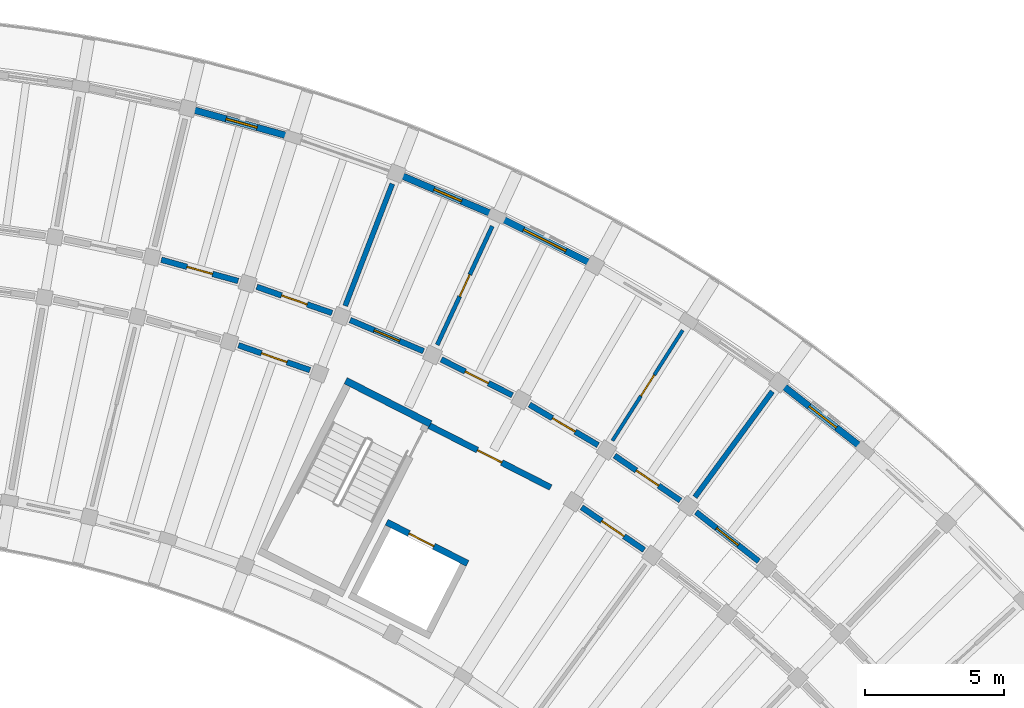
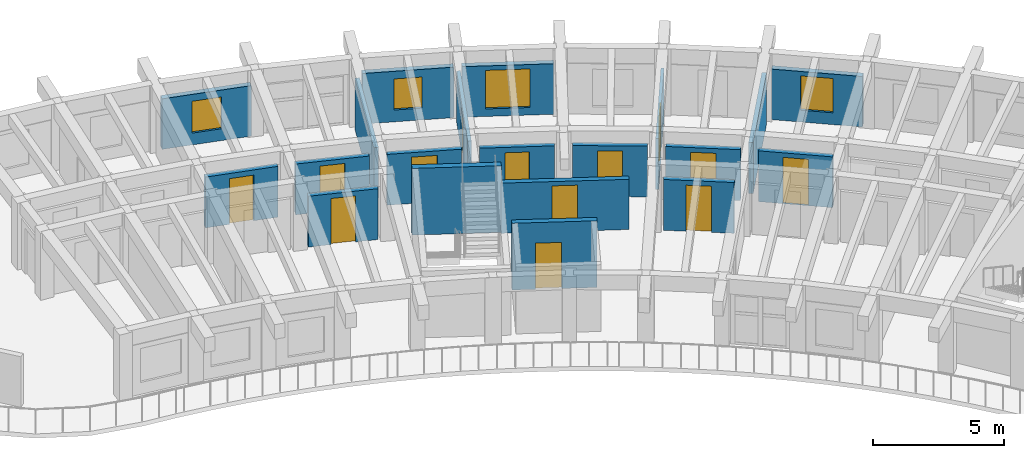
# One storey, part 54 of 78: 20 walls, 13 doors, 4 windows, 17 openings.
"""IFC4 building model written with IfcOpenShell, lengths in metres."""

from ifc_helpers import new_model, si_unit, direction, frame, frame_2d, origin, place, context, subcontext, project, spatial, rectangle, extrude, material, layer, layer_set, type_object, element, fill, save


model = new_model("IFC4")

# Units and contexts
model_context = context("Model", 3, precision=1e-05, world=origin(), true_north=direction((0.0, 1.0)))
body_context = subcontext(model_context, "Body", "Model", "MODEL_VIEW")
ifc_project = project(units=[si_unit("LENGTHUNIT", "METRE"), si_unit("AREAUNIT", "SQUARE_METRE"), si_unit("VOLUMEUNIT", "CUBIC_METRE"), si_unit("PLANEANGLEUNIT", "RADIAN"), si_unit("MASSUNIT", "GRAM", prefix="KILO")], contexts=[model_context])

# Site, building, storey
site_placement = place(None, origin())
site = spatial("IfcSite", under=ifc_project, at=site_placement, CompositionType="ELEMENT")
building_placement = place(site_placement, origin())
building = spatial("IfcBuilding", under=site, at=building_placement, Name="Tanwirah Colonnade Gardens", CompositionType="ELEMENT")
storey_placement = place(building_placement, frame((0.0, 0.0, 22.280029296875)))
storey = spatial("IfcBuildingStorey", under=building, at=storey_placement, Name="L06", CompositionType="ELEMENT", Elevation=22.280029296875)

# Wall, opening, window
ifc_material_1 = material(Name="Limestone architectural precast concrete C40/50", Category="masonry")
ifc_layer_1 = layer(ifc_material_1, 0.239990234375)
ifc_layer_set_1 = layer_set([ifc_layer_1], Name="Limestone architectural precast concrete C40/50")
wall_type_1 = type_object("IfcWallType", Name="EW-PC240", PredefinedType="SOLIDWALL", material=ifc_layer_set_1)
wall_1_placement = place(storey_placement, frame((159.152099609375, 105.916748046875, 0.0), z_axis=(0.0, 0.0, 1.0), x_axis=(-0.786813798172, 0.617190446301, 0.0)))
wall_1 = element("IfcWall", 1, at=wall_1_placement, inside=storey, type_object=wall_type_1, Name="Block B L06 OUT Precast Facade Wall 9", PredefinedType="SOLIDWALL", context=body_context, shape_type="SweptSolid", body=[
    extrude(rectangle(XDim=3.5205078125, YDim=0.239990234375, at=frame_2d((1.76025390625, 0.0))), origin(), (0.0, 0.0, 1.0), 2.35498046875),
])
opening_1_placement = place(wall_1_placement, frame((1.13525390625, 0.0, 0.550048828125)))
opening_1 = element("IfcOpeningElement", 2, at=opening_1_placement, cuts=wall_1, Name="Opening WIN-T03", PredefinedType="OPENING", context=body_context, shape_type="SweptSolid", body=[
    extrude(rectangle(XDim=1.25, YDim=1.60009765625, at=frame_2d((0.625, 0.800048828125))), frame((0.0, 0.1298828125, 0.0), z_axis=(0.0, -1.0, 0.0), x_axis=(1.0, 0.0, 0.0)), (0.0, 0.0, 1.0), 0.260009765625),
])
ifc_material_2 = material(Name="Thermally broken bronze aluminium and solar low-E double glazing", Category="aluminium")
window_type_1 = type_object("IfcWindowType", Name="WIN-T03", PartitioningType="SINGLE_PANEL", PredefinedType="WINDOW", material=ifc_material_2)
window_1_placement = place(opening_1_placement, origin())
window_1 = element("IfcWindow", 3, at=window_1_placement, inside=storey, type_object=window_type_1, Name="Facade window B-L06-OUT-09", OverallHeight=1.60009765625, OverallWidth=1.25, PartitioningType="SINGLE_PANEL", PredefinedType="WINDOW", context=body_context, shape_type="SweptSolid", body=[
    extrude(rectangle(XDim=1.25, YDim=1.60009765625, at=frame_2d((0.625, 0.800048828125))), frame((0.0, 0.030029296875, 0.0), z_axis=(0.0, -1.0, 0.0), x_axis=(1.0, 0.0, 0.0)), (0.0, 0.0, 1.0), 0.06005859375),
])
fill(opening_1, window_1)

wall_2_placement = place(storey_placement, frame((149.34814453125, 112.56103515625, 0.0), z_axis=(0.0, 0.0, 1.0), x_axis=(-0.892756700232, 0.450539092855, 0.0)))
wall_2 = element("IfcWall", 4, at=wall_2_placement, inside=storey, type_object=wall_type_1, Name="Block B L06 OUT Precast Facade Wall 12", PredefinedType="SOLIDWALL", context=body_context, shape_type="SweptSolid", body=[
    extrude(rectangle(XDim=3.520751953125, YDim=0.239990234375, at=frame_2d((1.76025390625, 0.0))), origin(), (0.0, 0.0, 1.0), 2.35498046875),
])
opening_2_placement = place(wall_2_placement, frame((0.910400390625, 0.0, 0.35009765625)))
opening_2 = element("IfcOpeningElement", 5, at=opening_2_placement, cuts=wall_2, Name="Opening WIN-T12", PredefinedType="OPENING", context=body_context, shape_type="SweptSolid", body=[
    extrude(rectangle(XDim=1.699951171875, YDim=1.800048828125, at=frame_2d((0.85009765625, 0.89990234375))), frame((0.0, 0.1298828125, 0.0), z_axis=(0.0, -1.0, 0.0), x_axis=(1.0, 0.0, 0.0)), (0.0, 0.0, 1.0), 0.260009765625),
])
window_type_2 = type_object("IfcWindowType", Name="WIN-T12", PartitioningType="TRIPLE_PANEL_VERTICAL", PredefinedType="WINDOW", material=ifc_material_2)
window_2_placement = place(opening_2_placement, origin())
window_2 = element("IfcWindow", 6, at=window_2_placement, inside=storey, type_object=window_type_2, Name="Facade window B-L06-OUT-12", OverallHeight=1.800048828125, OverallWidth=1.699951171875, PartitioningType="SINGLE_PANEL", PredefinedType="WINDOW", context=body_context, shape_type="SweptSolid", body=[
    extrude(rectangle(XDim=1.699951171875, YDim=1.800048828125, at=frame_2d((0.85009765625, 0.89990234375))), frame((0.0, 0.030029296875, 0.0), z_axis=(0.0, -1.0, 0.0), x_axis=(1.0, 0.0, 0.0)), (0.0, 0.0, 1.0), 0.06005859375),
])
fill(opening_2, window_2)

wall_3_placement = place(storey_placement, frame((145.9150390625, 114.28173828125, 0.0), z_axis=(0.0, 0.0, 1.0), x_axis=(-0.920502438884, 0.390736816807, 0.0)))
wall_3 = element("IfcWall", 7, at=wall_3_placement, inside=storey, type_object=wall_type_1, Name="Block B L06 OUT Precast Facade Wall 13", PredefinedType="SOLIDWALL", context=body_context, shape_type="SweptSolid", body=[
    extrude(rectangle(XDim=3.520751953125, YDim=0.239990234375, at=frame_2d((1.76025390625, 0.0))), origin(), (0.0, 0.0, 1.0), 2.35498046875),
])
opening_3_placement = place(wall_3_placement, frame((1.22021484375, 0.0, 0.550048828125)))
opening_3 = element("IfcOpeningElement", 8, at=opening_3_placement, cuts=wall_3, Name="Opening WIN-T15", PredefinedType="OPENING", context=body_context, shape_type="SweptSolid", body=[
    extrude(rectangle(XDim=1.080078125, YDim=1.449951171875, at=frame_2d((0.5400390625, 0.72509765625))), frame((0.0, 0.1298828125, 0.0), z_axis=(0.0, -1.0, 0.0), x_axis=(1.0, 0.0, 0.0)), (0.0, 0.0, 1.0), 0.260009765625),
])
window_type_3 = type_object("IfcWindowType", Name="WIN-T15", PartitioningType="SINGLE_PANEL", PredefinedType="WINDOW", material=ifc_material_2)
window_3_placement = place(opening_3_placement, origin())
window_3 = element("IfcWindow", 9, at=window_3_placement, inside=storey, type_object=window_type_3, Name="Facade window B-L06-OUT-13", OverallHeight=1.449951171875, OverallWidth=1.080078125, PartitioningType="SINGLE_PANEL", PredefinedType="WINDOW", context=body_context, shape_type="SweptSolid", body=[
    extrude(rectangle(XDim=1.080078125, YDim=1.449951171875, at=frame_2d((0.5400390625, 0.72509765625))), frame((0.0, 0.030029296875, 0.0), z_axis=(0.0, -1.0, 0.0), x_axis=(1.0, 0.0, 0.0)), (0.0, 0.0, 1.0), 0.06005859375),
])
fill(opening_3, window_3)

wall_4_placement = place(storey_placement, frame((138.58740234375, 117.08837890625, 0.0), z_axis=(0.0, 0.0, 1.0), x_axis=(-0.963894473631, 0.266284516456, 0.0)))
wall_4 = element("IfcWall", 10, at=wall_4_placement, inside=storey, type_object=wall_type_1, Name="Block B L06 OUT Precast Facade Wall 15", PredefinedType="SOLIDWALL", context=body_context, shape_type="SweptSolid", body=[
    extrude(rectangle(XDim=3.520751953125, YDim=0.239990234375, at=frame_2d((1.76025390625, 0.0))), origin(), (0.0, 0.0, 1.0), 2.35498046875),
])
opening_4_placement = place(wall_4_placement, frame((1.180419921875, 0.0, 0.550048828125)))
opening_4 = element("IfcOpeningElement", 11, at=opening_4_placement, cuts=wall_4, Name="Opening WIN-U01", PredefinedType="OPENING", context=body_context, shape_type="SweptSolid", body=[
    extrude(rectangle(XDim=1.159912109375, YDim=1.485107421875, at=frame_2d((0.580078125, 0.74267578125))), frame((0.0, 0.1298828125, 0.0), z_axis=(0.0, -1.0, 0.0), x_axis=(1.0, 0.0, 0.0)), (0.0, 0.0, 1.0), 0.260009765625),
])
window_type_4 = type_object("IfcWindowType", Name="WIN-U01", PartitioningType="DOUBLE_PANEL_VERTICAL", PredefinedType="WINDOW", material=ifc_material_2)
window_4_placement = place(opening_4_placement, origin())
window_4 = element("IfcWindow", 12, at=window_4_placement, inside=storey, type_object=window_type_4, Name="Facade window B-L06-OUT-15", OverallHeight=1.485107421875, OverallWidth=1.159912109375, PartitioningType="SINGLE_PANEL", PredefinedType="WINDOW", context=body_context, shape_type="SweptSolid", body=[
    extrude(rectangle(XDim=1.159912109375, YDim=1.485107421875, at=frame_2d((0.580078125, 0.74267578125))), frame((0.0, 0.030029296875, 0.0), z_axis=(0.0, -1.0, 0.0), x_axis=(1.0, 0.0, 0.0)), (0.0, 0.0, 1.0), 0.06005859375),
])
fill(opening_4, window_4)

# Wall, opening, door
ifc_material_3 = material(Name="Precast concrete C40/50", Category="concrete")
ifc_layer_2 = layer(ifc_material_3, 0.205078125)
ifc_layer_set_2 = layer_set([ifc_layer_2], Name="Precast concrete C40/50")
wall_type_2 = type_object("IfcWallType", Name="IW-CORR205", PredefinedType="PARTITIONING", material=ifc_layer_set_2)
wall_5_placement = place(storey_placement, frame((155.46728515625, 101.82080078125, 0.0), z_axis=(0.0, 0.0, 1.0), x_axis=(-0.786806323554, 0.617199975061, 0.0)))
wall_5 = element("IfcWall", 13, at=wall_5_placement, inside=storey, type_object=wall_type_2, Name="Block B L06 OUT Corridor Wall 9", PredefinedType="PARTITIONING", context=body_context, shape_type="SweptSolid", body=[
    extrude(rectangle(XDim=2.863037109375, YDim=0.205078125, at=frame_2d((1.431640625, 0.0))), origin(), (0.0, 0.0, 1.0), 2.369873046875),
])
opening_5_placement = place(wall_5_placement, frame((0.9365234375, 0.0, 0.0)))
opening_5 = element("IfcOpeningElement", 14, at=opening_5_placement, cuts=wall_5, Name="Opening L06-AD1064", PredefinedType="OPENING", context=body_context, shape_type="SweptSolid", body=[
    extrude(rectangle(XDim=0.989990234375, YDim=2.159912109375, at=frame_2d((0.4951171875, 1.080078125))), frame((0.0, 0.112548828125, 0.0), z_axis=(0.0, -1.0, 0.0), x_axis=(1.0, 0.0, 0.0)), (0.0, 0.0, 1.0), 0.22509765625),
])
ifc_material_4 = material(Name="Solid oak fire-resisting apartment entrance door")
door_type_1 = type_object("IfcDoorType", Name="ID-FLT099", OperationType="NOTDEFINED", PredefinedType="DOOR", material=ifc_material_4)
door_1_placement = place(opening_5_placement, origin())
door_1 = element("IfcDoor", 15, at=door_1_placement, inside=storey, type_object=door_type_1, Name="Apartment corridor door L06-AD1064", OperationType="SINGLE_SWING_RIGHT", OverallHeight=2.159912109375, OverallWidth=0.989990234375, PredefinedType="DOOR", context=body_context, shape_type="SweptSolid", body=[
    extrude(rectangle(XDim=0.989990234375, YDim=2.159912109375, at=frame_2d((0.4951171875, 1.080078125))), frame((0.0, 0.02490234375, 0.0), z_axis=(0.0, -1.0, 0.0), x_axis=(1.0, 0.0, 0.0)), (0.0, 0.0, 1.0), 0.050048828125),
])
fill(opening_5, door_1)

wall_6_placement = place(storey_placement, frame((152.650146484375, 104.001220703125, 0.0), z_axis=(0.0, 0.0, 1.0), x_axis=(-0.825779671787, 0.563992848947, 0.0)))
wall_6 = element("IfcWall", 16, at=wall_6_placement, inside=storey, type_object=wall_type_2, Name="Block B L06 OUT Corridor Wall 10", PredefinedType="PARTITIONING", context=body_context, shape_type="SweptSolid", body=[
    extrude(rectangle(XDim=2.863037109375, YDim=0.205078125, at=frame_2d((1.431640625, 0.0))), origin(), (0.0, 0.0, 1.0), 2.369873046875),
])
opening_6_placement = place(wall_6_placement, frame((0.946533203125, 0.0, 0.0)))
opening_6 = element("IfcOpeningElement", 17, at=opening_6_placement, cuts=wall_6, Name="Opening L06-AD1067", PredefinedType="OPENING", context=body_context, shape_type="SweptSolid", body=[
    extrude(rectangle(XDim=0.969970703125, YDim=2.14990234375, at=frame_2d((0.48486328125, 1.074951171875))), frame((0.0, 0.112548828125, 0.0), z_axis=(0.0, -1.0, 0.0), x_axis=(1.0, 0.0, 0.0)), (0.0, 0.0, 1.0), 0.22509765625),
])
door_type_2 = type_object("IfcDoorType", Name="ID-FLT097", OperationType="NOTDEFINED", PredefinedType="DOOR", material=ifc_material_4)
door_2_placement = place(opening_6_placement, origin())
door_2 = element("IfcDoor", 18, at=door_2_placement, inside=storey, type_object=door_type_2, Name="Apartment corridor door L06-AD1067", OperationType="SINGLE_SWING_LEFT", OverallHeight=2.14990234375, OverallWidth=0.969970703125, PredefinedType="DOOR", context=body_context, shape_type="SweptSolid", body=[
    extrude(rectangle(XDim=0.969970703125, YDim=2.14990234375, at=frame_2d((0.48486328125, 1.074951171875))), frame((0.0, 0.02490234375, 0.0), z_axis=(0.0, -1.0, 0.0), x_axis=(1.0, 0.0, 0.0)), (0.0, 0.0, 1.0), 0.050048828125),
])
fill(opening_6, door_2)

wall_7_placement = place(storey_placement, frame((151.35009765625, 102.226318359375, 0.0), z_axis=(0.0, 0.0, 1.0), x_axis=(-0.825752009056, 0.56403334967, 0.0)))
wall_7 = element("IfcWall", 19, at=wall_7_placement, inside=storey, type_object=wall_type_2, Name="Block B L06 IN Corridor Wall 10", PredefinedType="PARTITIONING", context=body_context, shape_type="SweptSolid", body=[
    extrude(rectangle(XDim=2.71826171875, YDim=0.205078125, at=frame_2d((1.359130859375, 0.0))), origin(), (0.0, 0.0, 1.0), 2.369873046875),
])
opening_7_placement = place(wall_7_placement, frame((0.8740234375, 0.0, 0.0)))
opening_7 = element("IfcOpeningElement", 20, at=opening_7_placement, cuts=wall_7, Name="Opening L06-AD1068", PredefinedType="OPENING", context=body_context, shape_type="SweptSolid", body=[
    extrude(rectangle(XDim=0.969970703125, YDim=2.14990234375, at=frame_2d((0.48486328125, 1.074951171875))), frame((0.0, 0.112548828125, 0.0), z_axis=(0.0, -1.0, 0.0), x_axis=(1.0, 0.0, 0.0)), (0.0, 0.0, 1.0), 0.22509765625),
])
door_3_placement = place(opening_7_placement, origin())
door_3 = element("IfcDoor", 21, at=door_3_placement, inside=storey, type_object=door_type_2, Name="Apartment corridor door L06-AD1068", OperationType="SINGLE_SWING_RIGHT", OverallHeight=2.14990234375, OverallWidth=0.969970703125, PredefinedType="DOOR", context=body_context, shape_type="SweptSolid", body=[
    extrude(rectangle(XDim=0.969970703125, YDim=2.14990234375, at=frame_2d((0.48486328125, 1.074951171875))), frame((0.0, 0.02490234375, 0.0), z_axis=(0.0, -1.0, 0.0), x_axis=(1.0, 0.0, 0.0)), (0.0, 0.0, 1.0), 0.050048828125),
])
fill(opening_7, door_3)

wall_8_placement = place(storey_placement, frame((149.6953125, 105.991455078125, 0.0), z_axis=(0.0, 0.0, 1.0), x_axis=(-0.861113214678, 0.508413248753, 0.0)))
wall_8 = element("IfcWall", 22, at=wall_8_placement, inside=storey, type_object=wall_type_2, Name="Block B L06 OUT Corridor Wall 11", PredefinedType="PARTITIONING", context=body_context, shape_type="SweptSolid", body=[
    extrude(rectangle(XDim=2.863037109375, YDim=0.205078125, at=frame_2d((1.431640625, 0.0))), origin(), (0.0, 0.0, 1.0), 2.369873046875),
])
opening_8_placement = place(wall_8_placement, frame((0.95654296875, 0.0, 0.0)))
opening_8 = element("IfcOpeningElement", 23, at=opening_8_placement, cuts=wall_8, Name="Opening L06-AD1070", PredefinedType="OPENING", context=body_context, shape_type="SweptSolid", body=[
    extrude(rectangle(XDim=0.949951171875, YDim=2.1298828125, at=frame_2d((0.47509765625, 1.06494140625))), frame((0.0, 0.112548828125, 0.0), z_axis=(0.0, -1.0, 0.0), x_axis=(1.0, 0.0, 0.0)), (0.0, 0.0, 1.0), 0.22509765625),
])
door_type_3 = type_object("IfcDoorType", Name="ID-FLT095", OperationType="NOTDEFINED", PredefinedType="DOOR", material=ifc_material_4)
door_4_placement = place(opening_8_placement, origin())
door_4 = element("IfcDoor", 24, at=door_4_placement, inside=storey, type_object=door_type_3, Name="Apartment corridor door L06-AD1070", OperationType="SINGLE_SWING_RIGHT", OverallHeight=2.1298828125, OverallWidth=0.949951171875, PredefinedType="DOOR", context=body_context, shape_type="SweptSolid", body=[
    extrude(rectangle(XDim=0.949951171875, YDim=2.1298828125, at=frame_2d((0.47509765625, 1.06494140625))), frame((0.0, 0.02490234375, 0.0), z_axis=(0.0, -1.0, 0.0), x_axis=(1.0, 0.0, 0.0)), (0.0, 0.0, 1.0), 0.050048828125),
])
fill(opening_8, door_4)

wall_9_placement = place(storey_placement, frame((146.615966796875, 107.782470703125, 0.0), z_axis=(0.0, 0.0, 1.0), x_axis=(-0.89273239336, 0.450587254419, 0.0)))
wall_9 = element("IfcWall", 25, at=wall_9_placement, inside=storey, type_object=wall_type_2, Name="Block B L06 OUT Corridor Wall 12", PredefinedType="PARTITIONING", context=body_context, shape_type="SweptSolid", body=[
    extrude(rectangle(XDim=2.863037109375, YDim=0.205078125, at=frame_2d((1.431640625, 0.0))), origin(), (0.0, 0.0, 1.0), 2.369873046875),
])
opening_9_placement = place(wall_9_placement, frame((0.966552734375, 0.0, 0.0)))
opening_9 = element("IfcOpeningElement", 26, at=opening_9_placement, cuts=wall_9, Name="Opening L06-AD1071", PredefinedType="OPENING", context=body_context, shape_type="SweptSolid", body=[
    extrude(rectangle(XDim=0.929931640625, YDim=2.1201171875, at=frame_2d((0.46484375, 1.06005859375))), frame((0.0, 0.112548828125, 0.0), z_axis=(0.0, -1.0, 0.0), x_axis=(1.0, 0.0, 0.0)), (0.0, 0.0, 1.0), 0.22509765625),
])
door_type_4 = type_object("IfcDoorType", Name="ID-FLT093", OperationType="NOTDEFINED", PredefinedType="DOOR", material=ifc_material_4)
door_5_placement = place(opening_9_placement, origin())
door_5 = element("IfcDoor", 27, at=door_5_placement, inside=storey, type_object=door_type_4, Name="Apartment corridor door L06-AD1071", OperationType="SINGLE_SWING_LEFT", OverallHeight=2.1201171875, OverallWidth=0.929931640625, PredefinedType="DOOR", context=body_context, shape_type="SweptSolid", body=[
    extrude(rectangle(XDim=0.929931640625, YDim=2.1201171875, at=frame_2d((0.46484375, 1.06005859375))), frame((0.0, 0.02490234375, 0.0), z_axis=(0.0, -1.0, 0.0), x_axis=(1.0, 0.0, 0.0)), (0.0, 0.0, 1.0), 0.050048828125),
])
fill(opening_9, door_5)

wall_10_placement = place(storey_placement, frame((143.42529296875, 109.366943359375, 0.0), z_axis=(0.0, 0.0, 1.0), x_axis=(-0.920511160294, 0.390716270168, 0.0)))
wall_10 = element("IfcWall", 28, at=wall_10_placement, inside=storey, type_object=wall_type_2, Name="Block B L06 OUT Corridor Wall 13", PredefinedType="PARTITIONING", context=body_context, shape_type="SweptSolid", body=[
    extrude(rectangle(XDim=2.863037109375, YDim=0.205078125, at=frame_2d((1.431640625, 0.0))), origin(), (0.0, 0.0, 1.0), 2.369873046875),
])
opening_10_placement = place(wall_10_placement, frame((0.9365234375, 0.0, 0.0)))
opening_10 = element("IfcOpeningElement", 29, at=opening_10_placement, cuts=wall_10, Name="Opening L06-AD1073", PredefinedType="OPENING", context=body_context, shape_type="SweptSolid", body=[
    extrude(rectangle(XDim=0.989990234375, YDim=2.159912109375, at=frame_2d((0.4951171875, 1.080078125))), frame((0.0, 0.112548828125, 0.0), z_axis=(0.0, -1.0, 0.0), x_axis=(1.0, 0.0, 0.0)), (0.0, 0.0, 1.0), 0.22509765625),
])
door_6_placement = place(opening_10_placement, origin())
door_6 = element("IfcDoor", 30, at=door_6_placement, inside=storey, type_object=door_type_1, Name="Apartment corridor door L06-AD1073", OperationType="SINGLE_SWING_RIGHT", OverallHeight=2.159912109375, OverallWidth=0.989990234375, PredefinedType="DOOR", context=body_context, shape_type="SweptSolid", body=[
    extrude(rectangle(XDim=0.989990234375, YDim=2.159912109375, at=frame_2d((0.4951171875, 1.080078125))), frame((0.0, 0.02490234375, 0.0), z_axis=(0.0, -1.0, 0.0), x_axis=(1.0, 0.0, 0.0)), (0.0, 0.0, 1.0), 0.050048828125),
])
fill(opening_10, door_6)

wall_11_placement = place(storey_placement, frame((140.13720703125, 110.737548828125, 0.0), z_axis=(0.0, 0.0, 1.0), x_axis=(-0.944253820929, 0.329218349522, 0.0)))
wall_11 = element("IfcWall", 31, at=wall_11_placement, inside=storey, type_object=wall_type_2, Name="Block B L06 OUT Corridor Wall 14", PredefinedType="PARTITIONING", context=body_context, shape_type="SweptSolid", body=[
    extrude(rectangle(XDim=2.86328125, YDim=0.205078125, at=frame_2d((1.431640625, 0.0))), origin(), (0.0, 0.0, 1.0), 2.369873046875),
])
opening_11_placement = place(wall_11_placement, frame((0.946533203125, 0.0, 0.0)))
opening_11 = element("IfcOpeningElement", 32, at=opening_11_placement, cuts=wall_11, Name="Opening L06-AD1074", PredefinedType="OPENING", context=body_context, shape_type="SweptSolid", body=[
    extrude(rectangle(XDim=0.969970703125, YDim=2.14990234375, at=frame_2d((0.48486328125, 1.074951171875))), frame((0.0, 0.112548828125, 0.0), z_axis=(0.0, -1.0, 0.0), x_axis=(1.0, 0.0, 0.0)), (0.0, 0.0, 1.0), 0.22509765625),
])
door_7_placement = place(opening_11_placement, origin())
door_7 = element("IfcDoor", 33, at=door_7_placement, inside=storey, type_object=door_type_2, Name="Apartment corridor door L06-AD1074", OperationType="SINGLE_SWING_LEFT", OverallHeight=2.14990234375, OverallWidth=0.969970703125, PredefinedType="DOOR", context=body_context, shape_type="SweptSolid", body=[
    extrude(rectangle(XDim=0.969970703125, YDim=2.14990234375, at=frame_2d((0.48486328125, 1.074951171875))), frame((0.0, 0.02490234375, 0.0), z_axis=(0.0, -1.0, 0.0), x_axis=(1.0, 0.0, 0.0)), (0.0, 0.0, 1.0), 0.050048828125),
])
fill(opening_11, door_7)

wall_12_placement = place(storey_placement, frame((139.3447265625, 108.685302734375, 0.0), z_axis=(0.0, 0.0, 1.0), x_axis=(-0.944265123647, 0.329185929627, 0.0)))
wall_12 = element("IfcWall", 34, at=wall_12_placement, inside=storey, type_object=wall_type_2, Name="Block B L06 IN Corridor Wall 14", PredefinedType="PARTITIONING", context=body_context, shape_type="SweptSolid", body=[
    extrude(rectangle(XDim=2.71826171875, YDim=0.205078125, at=frame_2d((1.359130859375, 0.0))), origin(), (0.0, 0.0, 1.0), 2.369873046875),
])
opening_12_placement = place(wall_12_placement, frame((0.8740234375, 0.0, 0.0)))
opening_12 = element("IfcOpeningElement", 35, at=opening_12_placement, cuts=wall_12, Name="Opening L06-AD1075", PredefinedType="OPENING", context=body_context, shape_type="SweptSolid", body=[
    extrude(rectangle(XDim=0.969970703125, YDim=2.14990234375, at=frame_2d((0.48486328125, 1.074951171875))), frame((0.0, 0.112548828125, 0.0), z_axis=(0.0, -1.0, 0.0), x_axis=(1.0, 0.0, 0.0)), (0.0, 0.0, 1.0), 0.22509765625),
])
door_8_placement = place(opening_12_placement, origin())
door_8 = element("IfcDoor", 36, at=door_8_placement, inside=storey, type_object=door_type_2, Name="Apartment corridor door L06-AD1075", OperationType="SINGLE_SWING_RIGHT", OverallHeight=2.14990234375, OverallWidth=0.969970703125, PredefinedType="DOOR", context=body_context, shape_type="SweptSolid", body=[
    extrude(rectangle(XDim=0.969970703125, YDim=2.14990234375, at=frame_2d((0.48486328125, 1.074951171875))), frame((0.0, 0.02490234375, 0.0), z_axis=(0.0, -1.0, 0.0), x_axis=(1.0, 0.0, 0.0)), (0.0, 0.0, 1.0), 0.050048828125),
])
fill(opening_12, door_8)

wall_13_placement = place(storey_placement, frame((136.765869140625, 111.888671875, 0.0), z_axis=(0.0, 0.0, 1.0), x_axis=(-0.963890789093, 0.266297853356, 0.0)))
wall_13 = element("IfcWall", 37, at=wall_13_placement, inside=storey, type_object=wall_type_2, Name="Block B L06 OUT Corridor Wall 15", PredefinedType="PARTITIONING", context=body_context, shape_type="SweptSolid", body=[
    extrude(rectangle(XDim=2.863037109375, YDim=0.205078125, at=frame_2d((1.431640625, 0.0))), origin(), (0.0, 0.0, 1.0), 2.369873046875),
])
opening_13_placement = place(wall_13_placement, frame((0.95654296875, 0.0, 0.0)))
opening_13 = element("IfcOpeningElement", 38, at=opening_13_placement, cuts=wall_13, Name="Opening L06-AD1076", PredefinedType="OPENING", context=body_context, shape_type="SweptSolid", body=[
    extrude(rectangle(XDim=0.949951171875, YDim=2.1298828125, at=frame_2d((0.47509765625, 1.06494140625))), frame((0.0, 0.112548828125, 0.0), z_axis=(0.0, -1.0, 0.0), x_axis=(1.0, 0.0, 0.0)), (0.0, 0.0, 1.0), 0.22509765625),
])
door_9_placement = place(opening_13_placement, origin())
door_9 = element("IfcDoor", 39, at=door_9_placement, inside=storey, type_object=door_type_3, Name="Apartment corridor door L06-AD1076", OperationType="SINGLE_SWING_RIGHT", OverallHeight=2.1298828125, OverallWidth=0.949951171875, PredefinedType="DOOR", context=body_context, shape_type="SweptSolid", body=[
    extrude(rectangle(XDim=0.949951171875, YDim=2.1298828125, at=frame_2d((0.47509765625, 1.06494140625))), frame((0.0, 0.02490234375, 0.0), z_axis=(0.0, -1.0, 0.0), x_axis=(1.0, 0.0, 0.0)), (0.0, 0.0, 1.0), 0.050048828125),
])
fill(opening_13, door_9)

# Walls
ifc_layer_3 = layer(ifc_material_3, 0.18505859375)
ifc_layer_set_3 = layer_set([ifc_layer_3], Name="Precast concrete C40/50")
wall_type_3 = type_object("IfcWallType", Name="IW-DEM185", PredefinedType="PARTITIONING", material=ifc_layer_set_3)
wall_14_placement = place(storey_placement, frame((153.175537109375, 104.12646484375, 0.0), z_axis=(0.0, 0.0, 1.0), x_axis=(0.590910940129, 0.806736797745, 0.0)))
element("IfcWall", 40, at=wall_14_placement, inside=storey, type_object=wall_type_3, Name="Block B L06 Radial Partition 9", PredefinedType="PARTITIONING", context=body_context, shape_type="SweptSolid", body=[
    extrude(rectangle(XDim=4.7001953125, YDim=0.18505859375, at=frame_2d((2.35009765625, 0.0))), origin(), (0.0, 0.0, 1.0), 2.369873046875),
])
wall_15_placement = place(storey_placement, frame((140.611572265625, 110.99560546875, 0.0), z_axis=(0.0, 0.0, 1.0), x_axis=(0.360186633854, 0.932880264982, 0.0)))
element("IfcWall", 41, at=wall_15_placement, inside=storey, type_object=wall_type_3, Name="Block B L06 Radial Partition 13", PredefinedType="PARTITIONING", context=body_context, shape_type="SweptSolid", body=[
    extrude(rectangle(XDim=4.699951171875, YDim=0.18505859375, at=frame_2d((2.35009765625, 0.0))), origin(), (0.0, 0.0, 1.0), 2.369873046875),
])

# Wall, opening, door
ifc_material_5 = material(Name="Autoclaved aerated masonry blockwork", Category="masonry")
ifc_layer_4 = layer(ifc_material_5, 0.219970703125)
ifc_layer_set_4 = layer_set([ifc_layer_4], Name="Autoclaved aerated masonry blockwork")
wall_type_4 = type_object("IfcWallType", Name="IW-FFL220", PredefinedType="PARTITIONING", material=ifc_layer_set_4)
wall_16_placement = place(storey_placement, frame((143.624755859375, 106.6962890625, 0.0), z_axis=(0.0, 0.0, 1.0), x_axis=(0.891003372311, -0.453996685595, 0.0)))
wall_16 = element("IfcWall", 42, at=wall_16_placement, inside=storey, type_object=wall_type_4, Name="CORE-B2 L06 Enclosed Lobby Fire Wall", PredefinedType="PARTITIONING", context=body_context, shape_type="SweptSolid", body=[
    extrude(rectangle(XDim=4.900146484375, YDim=0.219970703125, at=frame_2d((2.4501953125, 0.0))), origin(), (0.0, 0.0, 1.0), 2.340087890625),
])
opening_14_placement = place(wall_16_placement, frame((1.949951171875, 0.0, 0.0)))
opening_14 = element("IfcOpeningElement", 43, at=opening_14_placement, cuts=wall_16, Name="Opening L06-LD114", PredefinedType="OPENING", context=body_context, shape_type="SweptSolid", body=[
    extrude(rectangle(XDim=0.97998046875, YDim=2.139892578125, at=frame_2d((0.489990234375, 1.06982421875))), frame((0.0, 0.119873046875, 0.0), z_axis=(0.0, -1.0, 0.0), x_axis=(1.0, 0.0, 0.0)), (0.0, 0.0, 1.0), 0.239990234375),
])
ifc_material_6 = material(Name="Acoustic fire-resisting lobby door")
door_type_5 = type_object("IfcDoorType", Name="ID-FFL098", OperationType="NOTDEFINED", PredefinedType="DOOR", material=ifc_material_6)
door_10_placement = place(opening_14_placement, origin())
door_10 = element("IfcDoor", 44, at=door_10_placement, inside=storey, type_object=door_type_5, Name="CORE-B2 L06 Lobby Fire Door L06-LD114", OperationType="SINGLE_SWING_LEFT", OverallHeight=2.139892578125, OverallWidth=0.97998046875, PredefinedType="DOOR", context=body_context, shape_type="SweptSolid", body=[
    extrude(rectangle(XDim=0.97998046875, YDim=2.139892578125, at=frame_2d((0.489990234375, 1.06982421875))), frame((0.0, 0.02490234375, 0.0), z_axis=(0.0, -1.0, 0.0), x_axis=(1.0, 0.0, 0.0)), (0.0, 0.0, 1.0), 0.050048828125),
])
fill(opening_14, door_10)

ifc_material_7 = material(Name="Moisture-resistant gypsum stud partition")
ifc_layer_5 = layer(ifc_material_7, 0.125)
ifc_layer_set_5 = layer_set([ifc_layer_5], Name="Moisture-resistant gypsum stud partition")
wall_type_5 = type_object("IfcWallType", Name="IW-INT125", PredefinedType="PARTITIONING", material=ifc_layer_set_5)
wall_17_placement = place(storey_placement, frame((150.21142578125, 106.151123046875, 0.0), z_axis=(0.0, 0.0, 1.0), x_axis=(0.536492262982, 0.843905238614, 0.0)))
wall_17 = element("IfcWall", 45, at=wall_17_placement, inside=storey, type_object=wall_type_5, Name="Block B L06 Radial Partition 10", PredefinedType="PARTITIONING", context=body_context, shape_type="SweptSolid", body=[
    extrude(rectangle(XDim=4.699951171875, YDim=0.125, at=frame_2d((2.35009765625, 0.0))), origin(), (0.0, 0.0, 1.0), 2.369873046875),
])
opening_15_placement = place(wall_17_placement, frame((1.905029296875, 0.0, 0.0)))
opening_15 = element("IfcOpeningElement", 46, at=opening_15_placement, cuts=wall_17, Name="Opening L06-RD1069", PredefinedType="OPENING", context=body_context, shape_type="SweptSolid", body=[
    extrude(rectangle(XDim=0.889892578125, YDim=2.10009765625, at=frame_2d((0.44482421875, 1.050048828125))), frame((0.0, 0.072509765625, 0.0), z_axis=(0.0, -1.0, 0.0), x_axis=(1.0, 0.0, 0.0)), (0.0, 0.0, 1.0), 0.14501953125),
])
ifc_material_8 = material(Name="Painted hardwood bedroom door", Category="wood")
door_type_6 = type_object("IfcDoorType", Name="ID-RM089", OperationType="NOTDEFINED", PredefinedType="DOOR", material=ifc_material_8)
door_11_placement = place(opening_15_placement, origin())
door_11 = element("IfcDoor", 47, at=door_11_placement, inside=storey, type_object=door_type_6, Name="Internal apartment door L06-RD1069", OperationType="SINGLE_SWING_LEFT", OverallHeight=2.10009765625, OverallWidth=0.889892578125, PredefinedType="DOOR", context=body_context, shape_type="SweptSolid", body=[
    extrude(rectangle(XDim=0.889892578125, YDim=2.10009765625, at=frame_2d((0.44482421875, 1.050048828125))), frame((0.0, 0.02490234375, 0.0), z_axis=(0.0, -1.0, 0.0), x_axis=(1.0, 0.0, 0.0)), (0.0, 0.0, 1.0), 0.050048828125),
])
fill(opening_15, door_11)

ifc_material_9 = material(Name="Water-resistant acoustic plumbing partition")
ifc_layer_6 = layer(ifc_material_9, 0.14990234375)
ifc_layer_set_6 = layer_set([ifc_layer_6], Name="Water-resistant acoustic plumbing partition")
wall_type_6 = type_object("IfcWallType", Name="IW-WET150", PredefinedType="PLUMBINGWALL", material=ifc_layer_set_6)
wall_18_placement = place(storey_placement, frame((143.915771484375, 109.593017578125, 0.0), z_axis=(0.0, 0.0, 1.0), x_axis=(0.420862519045, 0.907124434718, 0.0)))
wall_18 = element("IfcWall", 48, at=wall_18_placement, inside=storey, type_object=wall_type_6, Name="Block B L06 Radial Partition 12", PredefinedType="PLUMBINGWALL", context=body_context, shape_type="SweptSolid", body=[
    extrude(rectangle(XDim=4.699951171875, YDim=0.14990234375, at=frame_2d((2.35009765625, 0.0))), origin(), (0.0, 0.0, 1.0), 2.369873046875),
])
opening_16_placement = place(wall_18_placement, frame((1.919921875, 0.0, 0.0)))
opening_16 = element("IfcOpeningElement", 49, at=opening_16_placement, cuts=wall_18, Name="Opening L06-RD1072", PredefinedType="OPENING", context=body_context, shape_type="SweptSolid", body=[
    extrude(rectangle(XDim=0.860107421875, YDim=2.06005859375, at=frame_2d((0.43017578125, 1.030029296875))), frame((0.0, 0.0849609375, 0.0), z_axis=(0.0, -1.0, 0.0), x_axis=(1.0, 0.0, 0.0)), (0.0, 0.0, 1.0), 0.169921875),
])
ifc_material_10 = material(Name="Moisture-resistant bathroom door")
door_type_7 = type_object("IfcDoorType", Name="ID-WET086", OperationType="NOTDEFINED", PredefinedType="DOOR", material=ifc_material_10)
door_12_placement = place(opening_16_placement, origin())
door_12 = element("IfcDoor", 50, at=door_12_placement, inside=storey, type_object=door_type_7, Name="Internal apartment door L06-RD1072", OperationType="SINGLE_SWING_LEFT", OverallHeight=2.06005859375, OverallWidth=0.860107421875, PredefinedType="DOOR", context=body_context, shape_type="SweptSolid", body=[
    extrude(rectangle(XDim=0.860107421875, YDim=2.06005859375, at=frame_2d((0.43017578125, 1.030029296875))), frame((0.0, 0.02490234375, 0.0), z_axis=(0.0, -1.0, 0.0), x_axis=(1.0, 0.0, 0.0)), (0.0, 0.0, 1.0), 0.050048828125),
])
fill(opening_16, door_12)

# Wall
ifc_material_11 = material(Name="Concrete C45/55", Category="concrete")
ifc_layer_7 = layer(ifc_material_11, 0.25)
ifc_layer_set_7 = layer_set([ifc_layer_7], Name="Concrete C45/55")
wall_type_7 = type_object("IfcWallType", Name="SW-CORE250", PredefinedType="SHEAR", material=ifc_layer_set_7)
wall_19_placement = place(storey_placement, frame((140.62939453125, 108.306640625, 0.0), z_axis=(0.0, 0.0, 1.0), x_axis=(0.891032414707, -0.453939683153, 0.0)))
element("IfcWall", 51, at=wall_19_placement, inside=storey, type_object=wall_type_7, Name="CORE-B2 L06 Stair Shaft Shear Wall NEAR", PredefinedType="SHEAR", context=body_context, shape_type="SweptSolid", body=[
    extrude(rectangle(XDim=3.419921875, YDim=0.25, at=frame_2d((1.7099609375, 0.0))), origin(), (0.0, 0.0, 1.0), 3.10986328125),
])

# Wall, opening, door
ifc_layer_8 = layer(ifc_material_11, 0.22998046875)
ifc_layer_set_8 = layer_set([ifc_layer_8], Name="Concrete C45/55")
wall_type_8 = type_object("IfcWallType", Name="SW-LIFT230", PredefinedType="SHEAR", material=ifc_layer_set_8)
wall_20_placement = place(storey_placement, frame((142.1025390625, 103.223876953125, 0.0), z_axis=(0.0, 0.0, 1.0), x_axis=(0.891001200497, -0.454000947921, 0.0)))
wall_20 = element("IfcWall", 52, at=wall_20_placement, inside=storey, type_object=wall_type_8, Name="CORE-B2 L06 Lift Shaft Wall FRONT", PredefinedType="SHEAR", context=body_context, shape_type="SweptSolid", body=[
    extrude(rectangle(XDim=3.259765625, YDim=0.22998046875, at=frame_2d((1.6298828125, 0.0))), origin(), (0.0, 0.0, 1.0), 3.10986328125),
])
opening_17_placement = place(wall_20_placement, frame((0.89990234375, 0.0, 0.0)))
opening_17 = element("IfcOpeningElement", 53, at=opening_17_placement, cuts=wall_20, Name="Opening L06-LD-PL-B2", PredefinedType="OPENING", context=body_context, shape_type="SweptSolid", body=[
    extrude(rectangle(XDim=1.0, YDim=2.14990234375, at=frame_2d((0.5, 1.074951171875))), frame((0.0, 0.125, 0.0), z_axis=(0.0, -1.0, 0.0), x_axis=(1.0, 0.0, 0.0)), (0.0, 0.0, 1.0), 0.25),
])
ifc_material_12 = material(Name="Bronze stainless steel sliding lift landing door", Category="steel")
door_type_8 = type_object("IfcDoorType", Name="LD-PS10", OperationType="DOUBLE_DOOR_SLIDING", PredefinedType="DOOR", material=ifc_material_12)
door_13_placement = place(opening_17_placement, origin())
door_13 = element("IfcDoor", 54, at=door_13_placement, inside=storey, type_object=door_type_8, Name="Lift PL-B2 L06 Sliding Landing Door", OperationType="DOUBLE_DOOR_SLIDING", OverallHeight=2.14990234375, OverallWidth=1.0, PredefinedType="DOOR", context=body_context, shape_type="SweptSolid", body=[
    extrude(rectangle(XDim=1.0, YDim=2.14990234375, at=frame_2d((0.5, 1.074951171875))), frame((0.0, 0.02490234375, 0.0), z_axis=(0.0, -1.0, 0.0), x_axis=(1.0, 0.0, 0.0)), (0.0, 0.0, 1.0), 0.050048828125),
])
fill(opening_17, door_13)

save(model, "model.ifc")
